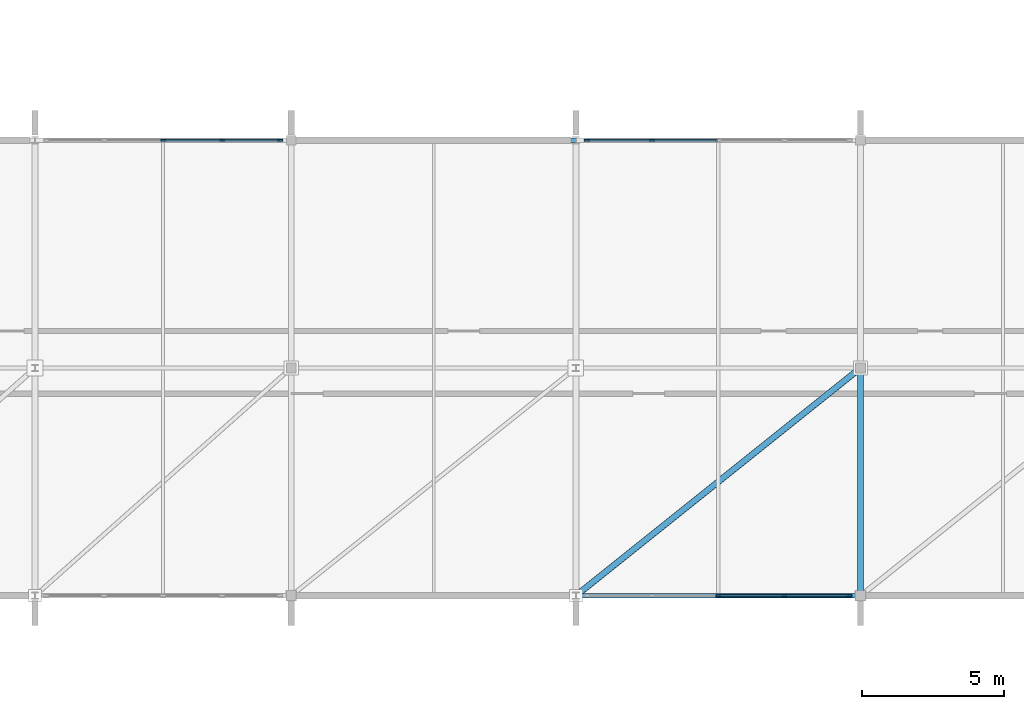
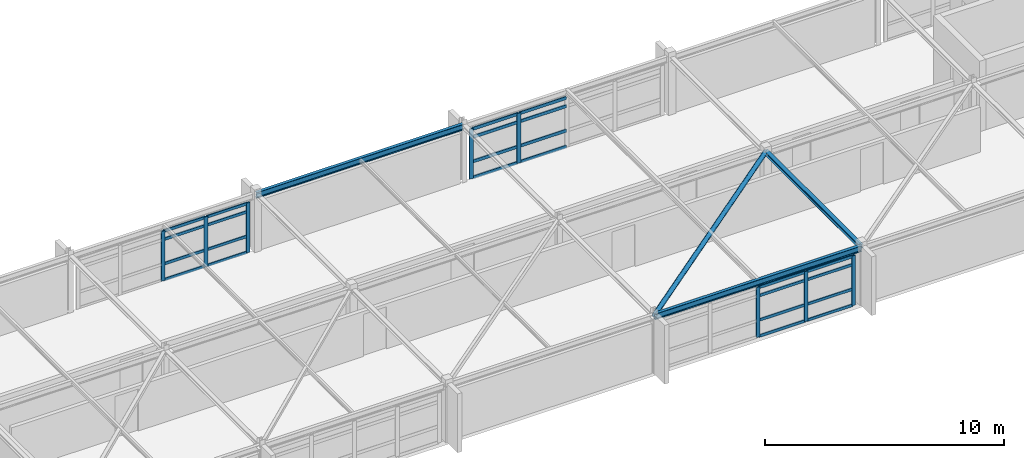
# One storey, part 11 of 83: 33 members, 3 beams, 3 elements without a shape of their own.
"""IFC4 building model written with IfcOpenShell, lengths in metres."""

import ifcopenshell
import ifcopenshell.guid

model = None  # the IFC model being written
_history = None  # IfcOwnerHistory: only IFC2X3 demands one
_inside = {}  # id of a spatial element -> (the spatial element, [elements in it])
_under = {}  # id of a project, library or spatial element -> (it, [spatial elements below it])
_declared = {}  # id of a project -> (the project, [libraries it declares])
_typed = {}  # id of a type object -> (the type object, [elements of that type])
_made_of = {}  # id of a material, layer set ... -> (it, [elements and type objects made of it])


def new_model(schema):
    """Start an empty IFC model of exactly this schema.

    Asked for "IFC4X3", IfcOpenShell would pick the latest addendum, in which some entities
    have other attributes; the version numbers below select the first issue.
    IFC2X3 requires an IfcOwnerHistory on every rooted entity: one is made here for all.
    """
    global model, _history
    if schema == "IFC4X3":
        model = ifcopenshell.file(schema_version=(4, 3, 0, 0))
    else:
        model = ifcopenshell.file(schema=schema)
    _inside.clear()
    _under.clear()
    _declared.clear()
    _typed.clear()
    _made_of.clear()
    _history = None
    if model.schema == "IFC2X3":
        org = make("IfcOrganization", Name="unknown")
        user = make(
            "IfcPersonAndOrganization",
            ThePerson=make("IfcPerson", FamilyName="unknown"),
            TheOrganization=org,
        )
        app = make(
            "IfcApplication",
            ApplicationDeveloper=org,
            Version="unknown",
            ApplicationFullName="unknown",
            ApplicationIdentifier="unknown",
        )
        _history = make(
            "IfcOwnerHistory",
            OwningUser=user,
            OwningApplication=app,
            ChangeAction="ADDED",
            CreationDate=0,
        )
    return model


def make(cls, **values):
    """One entity of the class cls with the attributes given. An attribute that is None is left unset."""
    return model.create_entity(
        cls, **{name: value for name, value in values.items() if value is not None}
    )


def rooted(cls, **values):
    """An entity with a GlobalId (a new one), such as an element, a storey or a relation."""
    return make(cls, GlobalId=ifcopenshell.guid.new(), OwnerHistory=_history, **values)


def si_unit(unit_type, name, prefix=None):
    """IfcSIUnit, for example si_unit("LENGTHUNIT", "METRE", prefix="MILLI")."""
    return make("IfcSIUnit", UnitType=unit_type, Prefix=prefix, Name=name)


def assignment(units):
    """IfcUnitAssignment: the units of a project."""
    return None if units is None else make("IfcUnitAssignment", Units=units)


def point(xyz):
    """IfcCartesianPoint."""
    return None if xyz is None else make("IfcCartesianPoint", Coordinates=xyz)


def direction(xyz):
    """IfcDirection."""
    return None if xyz is None else make("IfcDirection", DirectionRatios=xyz)


def frame(location, z_axis=None, x_axis=None):
    """IfcAxis2Placement3D, a coordinate frame: its origin and axes. An axis left out is left unset."""
    return make(
        "IfcAxis2Placement3D",
        Location=point(location),
        Axis=direction(z_axis),
        RefDirection=direction(x_axis),
    )


def frame_2d(location, x_axis=None):
    """IfcAxis2Placement2D, a coordinate frame in the plane: its origin and x axis."""
    return make(
        "IfcAxis2Placement2D", Location=point(location), RefDirection=direction(x_axis)
    )


def origin():
    """The frame at (0, 0, 0) with its axes left unset."""
    return frame((0.0, 0.0, 0.0))


def origin_2d():
    """The frame at (0, 0) in the plane with its x axis left unset."""
    return frame_2d((0.0, 0.0))


def place(relative_to, where):
    """IfcLocalPlacement: puts the frame where relative to a parent placement (None: the world)."""
    return make(
        "IfcLocalPlacement", PlacementRelTo=relative_to, RelativePlacement=where
    )


def context(
    kind, dimensions, precision=None, world=None, true_north=None, identifier=None
):
    """IfcGeometricRepresentationContext, for example the 3D "Model" context."""
    return make(
        "IfcGeometricRepresentationContext",
        ContextIdentifier=identifier,
        ContextType=kind,
        CoordinateSpaceDimension=dimensions,
        Precision=precision,
        WorldCoordinateSystem=world,
        TrueNorth=true_north,
    )


def subcontext(parent, identifier, kind, view, scale=None):
    """IfcGeometricRepresentationSubContext, for example "Body" below "Model"."""
    return make(
        "IfcGeometricRepresentationSubContext",
        ContextIdentifier=identifier,
        ContextType=kind,
        ParentContext=parent,
        TargetScale=scale,
        TargetView=view,
    )


def project(units=None, contexts=None):
    """IfcProject with its units and contexts."""
    return rooted(
        "IfcProject",
        Name="project",
        RepresentationContexts=contexts,
        UnitsInContext=assignment(units),
    )


def spatial(cls, under=None, at=None, **own):
    """A site, building, storey or space (cls), placed at a placement, below another one or the project."""
    s = rooted(cls, ObjectPlacement=at, **own)
    if under is not None:
        _under.setdefault(under.id(), (under, []))[1].append(s)
    return s


def profile(cls, at=None, kind="AREA", **sizes):
    """A parametric profile (cls). Its sizes go by their IFC names, for example OverallWidth=200.0."""
    return make(cls, ProfileType=kind, Position=at, **sizes)


def rectangle(**sizes):
    """IfcRectangleProfileDef."""
    return profile("IfcRectangleProfileDef", **sizes)


def hollow_circle(**sizes):
    """IfcCircleHollowProfileDef."""
    return profile("IfcCircleHollowProfileDef", **sizes)


def i_section(**sizes):
    """IfcIShapeProfileDef."""
    return profile("IfcIShapeProfileDef", **sizes)


def extrude(swept, where, along, depth):
    """IfcExtrudedAreaSolid: the profile swept, set in the frame where, extruded along a direction by depth."""
    return make(
        "IfcExtrudedAreaSolid",
        SweptArea=swept,
        Position=where,
        ExtrudedDirection=direction(along),
        Depth=depth,
    )


def shape(context_of_items, identifier, shape_type, items):
    """IfcShapeRepresentation: the items that make up one representation, for example the "Body"."""
    return make(
        "IfcShapeRepresentation",
        ContextOfItems=context_of_items,
        RepresentationIdentifier=identifier,
        RepresentationType=shape_type,
        Items=items,
    )


def material(Name=None, Category=None):
    """IfcMaterial."""
    return make("IfcMaterial", Name=Name, Category=Category)


def material_profile(
    of_material, cross_section, Name=None, Category=None, Priority=None
):
    """IfcMaterialProfile: a cross section and its material."""
    return make(
        "IfcMaterialProfile",
        Name=Name,
        Material=of_material,
        Profile=cross_section,
        Priority=Priority,
        Category=Category,
    )


def profile_set(profiles, Name=None, composite=None):
    """IfcMaterialProfileSet."""
    return make(
        "IfcMaterialProfileSet",
        Name=Name,
        MaterialProfiles=profiles,
        CompositeProfile=composite,
    )


def made_of(thing, what):
    """Note that an element or type object is made of a material, layer set ...; save() writes the relation."""
    if what is not None:
        _made_of.setdefault(what.id(), (what, []))[1].append(thing)
    return thing


def type_object(cls, material=None, **own):
    """A type object (cls), such as IfcWallType, which elements share."""
    return made_of(rooted(cls, **own), material)


def element(
    cls,
    number,
    at=None,
    inside=None,
    cuts=None,
    type_object=None,
    material=None,
    context=None,
    identifier="Body",
    shape_type=None,
    held_by="IfcProductDefinitionShape",
    body=None,
    shapes=None,
    **own,
):
    """One element of the class cls, such as IfcWall. Its Tag is "e" and its number.

    at: its placement. inside: the storey or other place that contains it. cuts: it is an
    opening in that element (IfcRelVoidsElement). A single representation is given by context,
    identifier, shape_type and body (its items); several are given by shapes. held_by: the class
    of the entity that holds the representations. save() writes the other relations.
    """
    e = rooted(cls, Tag="e%d" % number, ObjectPlacement=at, **own)
    if body is not None:
        shapes = [shape(context, identifier, shape_type, body)]
    if shapes is not None:
        e.Representation = make(held_by, Representations=shapes)
    if inside is not None:
        _inside.setdefault(inside.id(), (inside, []))[1].append(e)
    if cuts is not None:
        rooted(
            "IfcRelVoidsElement", RelatingBuildingElement=cuts, RelatedOpeningElement=e
        )
    if type_object is not None:
        _typed.setdefault(type_object.id(), (type_object, []))[1].append(e)
    return made_of(e, material)


def aggregate(whole, parts):
    """IfcRelAggregates: a whole, such as a stair, and the parts it consists of."""
    return rooted("IfcRelAggregates", RelatingObject=whole, RelatedObjects=parts)


def save(model, path):
    """Write the relations noted so far, then the file.

    IfcRelAggregates (storeys below a building ...), IfcRelContainedInSpatialStructure (elements
    in a storey), IfcRelDefinesByType, IfcRelAssociatesMaterial and IfcRelDeclares: one each for
    every whole, place, type object, material and project.
    """
    for whole, parts in _under.values():
        aggregate(whole, parts)
    for where, things in _inside.values():
        rooted(
            "IfcRelContainedInSpatialStructure",
            RelatedElements=things,
            RelatingStructure=where,
        )
    for kind, things in _typed.values():
        rooted("IfcRelDefinesByType", RelatedObjects=things, RelatingType=kind)
    for what, things in _made_of.values():
        rooted("IfcRelAssociatesMaterial", RelatedObjects=things, RelatingMaterial=what)
    for by, libraries in _declared.values():
        rooted("IfcRelDeclares", RelatingContext=by, RelatedDefinitions=libraries)
    model.write(path)


model = new_model("IFC4")

# Units and contexts
model_context = context("Model", 3, precision=1e-05, world=origin(), true_north=direction((0.0, 1.0)))
body_context = subcontext(model_context, "Body", "Model", "MODEL_VIEW")
ifc_project = project(units=[si_unit("LENGTHUNIT", "METRE"), si_unit("AREAUNIT", "SQUARE_METRE"), si_unit("VOLUMEUNIT", "CUBIC_METRE"), si_unit("PLANEANGLEUNIT", "RADIAN"), si_unit("MASSUNIT", "GRAM", prefix="KILO")], contexts=[model_context])

# Site, building, storey
site_placement = place(None, origin())
site = spatial("IfcSite", under=ifc_project, at=site_placement, CompositionType="ELEMENT")
building_placement = place(site_placement, origin())
building = spatial("IfcBuilding", under=site, at=building_placement, Name="Zimvara Arc Housing Community", CompositionType="ELEMENT")
storey_placement = place(building_placement, frame((0.0, 0.0, 4.5)))
storey = spatial("IfcBuildingStorey", under=building, at=storey_placement, Name="L01", CompositionType="ELEMENT", Elevation=4.5)

# Beams
ifc_material_1 = material(Name="Steel S355", Category="steel")
ifc_material_profile_1 = material_profile(ifc_material_1, i_section(OverallWidth=0.199951171875, OverallDepth=0.18994140625, WebThickness=0.006591796875, FlangeThickness=0.010009765625, FilletRadius=0.01806640625, at=origin_2d()), Name="HEA 200")
ifc_profile_set_1 = profile_set([ifc_material_profile_1], Name="Steel S355")
beam_type_1 = type_object("IfcBeamType", Name="BM-ST-HEA200", PredefinedType="BEAM", material=ifc_profile_set_1)
beam_placement = place(storey_placement, frame((38.0, 3.60009765625, 2.85498046875), z_axis=(0.0, 1.0, 0.0), x_axis=(-1.0, 0.0, 0.0)))
element("IfcBeam", 1, at=beam_placement, inside=storey, type_object=beam_type_1, Name="bm:shops:L01:y:x4:b0", PredefinedType="BEAM", context=body_context, shape_type="SweptSolid", body=[
    extrude(i_section(OverallWidth=0.199951171875, OverallDepth=0.18994140625, WebThickness=0.006591796875, FlangeThickness=0.010009765625, FilletRadius=0.01806640625, at=origin_2d()), origin(), (0.0, 0.0, 1.0), 8.0),
])
ifc_material_2 = material(Name="Steel S355", Category="steel")
ifc_material_profile_2 = material_profile(ifc_material_2, i_section(OverallWidth=0.14990234375, OverallDepth=0.300048828125, WebThickness=0.007080078125, FlangeThickness=0.0107421875, FilletRadius=0.014892578125, at=origin_2d()), Name="IPE 300")
ifc_profile_set_2 = profile_set([ifc_material_profile_2], Name="Steel S355")
beam_type_2 = type_object("IfcBeamType", Name="BM-ST-IPE300", PredefinedType="BEAM", material=ifc_profile_set_2)
for number, where, z_axis, x_axis, name in (
    (2, (28.0, 3.60009765625, 2.800048828125), (1.0, 0.0, 0.0), (0.0, 1.0, 0.0), "bm:shops:L01:x:y0:b3"),
    (3, (18.0, 19.60009765625, 2.800048828125), (1.0, 0.0, 0.0), (0.0, 1.0, 0.0), "bm:shops:L01:x:y2:b2"),
):
    element("IfcBeam", number, at=place(storey_placement, frame(where, z_axis=z_axis, x_axis=x_axis)), inside=storey, type_object=beam_type_2, Name=name, PredefinedType="BEAM", context=body_context, shape_type="SweptSolid", body=[
        extrude(i_section(OverallWidth=0.14990234375, OverallDepth=0.300048828125, WebThickness=0.007080078125, FlangeThickness=0.0107421875, FilletRadius=0.014892578125, at=origin_2d()), origin(), (0.0, 0.0, 1.0), 10.0),
    ])

# Curtain wall, members
ifc_material_3 = material(Name="Anodised Aluminium AW-6063", Category="aluminium")
curtain_wall_type_1 = type_object("IfcCurtainWallType", Name="CW-SYS-08", PredefinedType="USERDEFINED", material=ifc_material_3)
curtain_wall_1_placement = place(storey_placement, origin())
curtain_wall_1 = element("IfcCurtainWall", 4, at=curtain_wall_1_placement, inside=storey, type_object=curtain_wall_type_1, Name="cw:shops:L01:south:b3", ObjectType="CURTAIN WALL", PredefinedType="USERDEFINED")
ifc_material_4 = material(Name="Anodised Aluminium AW-6063", Category="aluminium")
ifc_material_profile_3 = material_profile(ifc_material_4, rectangle(XDim=0.06494140625, YDim=0.179931640625, at=origin_2d()), Name="ALU 65x180")
ifc_profile_set_3 = profile_set([ifc_material_profile_3], Name="Anodised Aluminium AW-6063")
member_type_1 = type_object("IfcMemberType", Name="CWM-65x150", PredefinedType="MULLION", material=ifc_profile_set_3)
member_1_placement = place(storey_placement, frame((33.0, 3.60009765625, 0.0), z_axis=(0.0, 0.0, 1.0), x_axis=(0.0, 1.0, 0.0)))
member_1 = element("IfcMember", 5, at=member_1_placement, type_object=member_type_1, Name="CW08 mullion 3", PredefinedType="MULLION", context=body_context, shape_type="SweptSolid", body=[
    extrude(rectangle(XDim=0.06494140625, YDim=0.179931640625, at=origin_2d()), origin(), (0.0, 0.0, 1.0), 2.550048828125),
])
member_2_placement = place(storey_placement, frame((35.320068359375, 3.60009765625, 0.0), z_axis=(0.0, 0.0, 1.0), x_axis=(0.0, 1.0, 0.0)))
member_2 = element("IfcMember", 6, at=member_2_placement, type_object=member_type_1, Name="CW08 mullion 4", PredefinedType="MULLION", context=body_context, shape_type="SweptSolid", body=[
    extrude(rectangle(XDim=0.06494140625, YDim=0.179931640625, at=origin_2d()), origin(), (0.0, 0.0, 1.0), 2.550048828125),
])
member_3_placement = place(storey_placement, frame((37.607421875, 3.60009765625, 0.0), z_axis=(0.0, 0.0, 1.0), x_axis=(0.0, 1.0, 0.0)))
member_3 = element("IfcMember", 7, at=member_3_placement, type_object=member_type_1, Name="CW08 mullion 5", PredefinedType="MULLION", context=body_context, shape_type="SweptSolid", body=[
    extrude(rectangle(XDim=0.06494140625, YDim=0.179931640625, at=origin_2d()), origin(), (0.0, 0.0, 1.0), 2.550048828125),
])

ifc_material_5 = material(Name="Anodised Aluminium AW-6063", Category="aluminium")
curtain_wall_type_2 = type_object("IfcCurtainWallType", Name="CW-SYS-02", PredefinedType="USERDEFINED", material=ifc_material_5)
curtain_wall_2_placement = place(storey_placement, origin())
curtain_wall_2 = element("IfcCurtainWall", 8, at=curtain_wall_2_placement, inside=storey, type_object=curtain_wall_type_2, Name="cw:shops:L01:north:b1", ObjectType="CURTAIN WALL", PredefinedType="USERDEFINED")
member_4_placement = place(storey_placement, frame((13.5, 19.60009765625, 0.0), z_axis=(0.0, 0.0, 1.0), x_axis=(0.0, 1.0, 0.0)))
member_4 = element("IfcMember", 9, at=member_4_placement, type_object=member_type_1, Name="CW02 mullion 3", PredefinedType="MULLION", context=body_context, shape_type="SweptSolid", body=[
    extrude(rectangle(XDim=0.06494140625, YDim=0.179931640625, at=origin_2d()), origin(), (0.0, 0.0, 1.0), 2.550048828125),
])
member_5_placement = place(storey_placement, frame((15.570068359375, 19.60009765625, 0.0), z_axis=(0.0, 0.0, 1.0), x_axis=(0.0, 1.0, 0.0)))
member_5 = element("IfcMember", 10, at=member_5_placement, type_object=member_type_1, Name="CW02 mullion 4", PredefinedType="MULLION", context=body_context, shape_type="SweptSolid", body=[
    extrude(rectangle(XDim=0.06494140625, YDim=0.179931640625, at=origin_2d()), origin(), (0.0, 0.0, 1.0), 2.550048828125),
])
member_6_placement = place(storey_placement, frame((17.607421875, 19.60009765625, 0.0), z_axis=(0.0, 0.0, 1.0), x_axis=(0.0, 1.0, 0.0)))
member_6 = element("IfcMember", 11, at=member_6_placement, type_object=member_type_1, Name="CW02 mullion 5", PredefinedType="MULLION", context=body_context, shape_type="SweptSolid", body=[
    extrude(rectangle(XDim=0.06494140625, YDim=0.179931640625, at=origin_2d()), origin(), (0.0, 0.0, 1.0), 2.550048828125),
])

ifc_material_6 = material(Name="Anodised Aluminium AW-6063", Category="aluminium")
curtain_wall_type_3 = type_object("IfcCurtainWallType", Name="CW-SYS-03", PredefinedType="USERDEFINED", material=ifc_material_6)
curtain_wall_3_placement = place(storey_placement, origin())
curtain_wall_3 = element("IfcCurtainWall", 12, at=curtain_wall_3_placement, inside=storey, type_object=curtain_wall_type_3, Name="cw:shops:L01:north:b3", ObjectType="CURTAIN WALL", PredefinedType="USERDEFINED")
ifc_material_7 = material(Name="Anodised Aluminium AW-6063", Category="aluminium")
ifc_material_profile_4 = material_profile(ifc_material_7, rectangle(XDim=0.06494140625, YDim=0.195068359375, at=origin_2d()), Name="ALU 65x195")
ifc_profile_set_4 = profile_set([ifc_material_profile_4], Name="Anodised Aluminium AW-6063")
member_type_2 = type_object("IfcMemberType", Name="CWM-65x180", PredefinedType="MULLION", material=ifc_profile_set_4)
member_7_placement = place(storey_placement, frame((28.392578125, 19.60009765625, 0.0), z_axis=(0.0, 0.0, 1.0), x_axis=(0.0, 1.0, 0.0)))
member_7 = element("IfcMember", 13, at=member_7_placement, type_object=member_type_2, Name="CW03 mullion 1", PredefinedType="MULLION", context=body_context, shape_type="SweptSolid", body=[
    extrude(rectangle(XDim=0.06494140625, YDim=0.195068359375, at=origin_2d()), origin(), (0.0, 0.0, 1.0), 2.550048828125),
])
member_8_placement = place(storey_placement, frame((30.679931640625, 19.60009765625, 0.0), z_axis=(0.0, 0.0, 1.0), x_axis=(0.0, 1.0, 0.0)))
member_8 = element("IfcMember", 14, at=member_8_placement, type_object=member_type_2, Name="CW03 mullion 2", PredefinedType="MULLION", context=body_context, shape_type="SweptSolid", body=[
    extrude(rectangle(XDim=0.06494140625, YDim=0.195068359375, at=origin_2d()), origin(), (0.0, 0.0, 1.0), 2.550048828125),
])

# Member
ifc_material_8 = material(Name="Anodised Aluminium AW-6063", Category="aluminium")
ifc_material_profile_5 = material_profile(ifc_material_8, rectangle(XDim=0.06494140625, YDim=0.139892578125, at=origin_2d()), Name="ALU 65x140")
ifc_profile_set_5 = profile_set([ifc_material_profile_5], Name="Anodised Aluminium AW-6063")
member_type_3 = type_object("IfcMemberType", Name="CWT-65x120", PredefinedType="USERDEFINED", material=ifc_profile_set_5)
member_9_placement = place(storey_placement, frame((33.032470703125, 3.60009765625, 0.032470703125), z_axis=(1.0, 0.0, 0.0), x_axis=(0.0, 1.0, 0.0)))
member_9 = element("IfcMember", 15, at=member_9_placement, type_object=member_type_3, Name="CW08 transom 3.1", ObjectType="TRANSOM", PredefinedType="USERDEFINED", context=body_context, shape_type="SweptSolid", body=[
    extrude(rectangle(XDim=0.06494140625, YDim=0.139892578125, at=origin_2d()), origin(), (0.0, 0.0, 1.0), 2.255126953125),
])

member_10_placement = place(storey_placement, frame((33.032470703125, 3.60009765625, 0.85009765625), z_axis=(1.0, 0.0, 0.0), x_axis=(0.0, 1.0, 0.0)))
member_10 = element("IfcMember", 16, at=member_10_placement, type_object=member_type_3, Name="CW08 transom 3.2", ObjectType="TRANSOM", PredefinedType="USERDEFINED", context=body_context, shape_type="SweptSolid", body=[
    extrude(rectangle(XDim=0.06494140625, YDim=0.139892578125, at=origin_2d()), origin(), (0.0, 0.0, 1.0), 2.255126953125),
])

member_11_placement = place(storey_placement, frame((33.032470703125, 3.60009765625, 2.10009765625), z_axis=(1.0, 0.0, 0.0), x_axis=(0.0, 1.0, 0.0)))
member_11 = element("IfcMember", 17, at=member_11_placement, type_object=member_type_3, Name="CW08 transom 3.3", ObjectType="TRANSOM", PredefinedType="USERDEFINED", context=body_context, shape_type="SweptSolid", body=[
    extrude(rectangle(XDim=0.06494140625, YDim=0.139892578125, at=origin_2d()), origin(), (0.0, 0.0, 1.0), 2.255126953125),
])

member_12_placement = place(storey_placement, frame((33.032470703125, 3.60009765625, 2.517578125), z_axis=(1.0, 0.0, 0.0), x_axis=(0.0, 1.0, 0.0)))
member_12 = element("IfcMember", 18, at=member_12_placement, type_object=member_type_3, Name="CW08 transom 3.4", ObjectType="TRANSOM", PredefinedType="USERDEFINED", context=body_context, shape_type="SweptSolid", body=[
    extrude(rectangle(XDim=0.06494140625, YDim=0.139892578125, at=origin_2d()), origin(), (0.0, 0.0, 1.0), 2.255126953125),
])

member_13_placement = place(storey_placement, frame((35.3525390625, 3.60009765625, 0.032470703125), z_axis=(1.0, 0.0, 0.0), x_axis=(0.0, 1.0, 0.0)))
member_13 = element("IfcMember", 19, at=member_13_placement, type_object=member_type_3, Name="CW08 transom 4.1", ObjectType="TRANSOM", PredefinedType="USERDEFINED", context=body_context, shape_type="SweptSolid", body=[
    extrude(rectangle(XDim=0.06494140625, YDim=0.139892578125, at=origin_2d()), origin(), (0.0, 0.0, 1.0), 2.222412109375),
])

member_14_placement = place(storey_placement, frame((35.3525390625, 3.60009765625, 0.85009765625), z_axis=(1.0, 0.0, 0.0), x_axis=(0.0, 1.0, 0.0)))
member_14 = element("IfcMember", 20, at=member_14_placement, type_object=member_type_3, Name="CW08 transom 4.2", ObjectType="TRANSOM", PredefinedType="USERDEFINED", context=body_context, shape_type="SweptSolid", body=[
    extrude(rectangle(XDim=0.06494140625, YDim=0.139892578125, at=origin_2d()), origin(), (0.0, 0.0, 1.0), 2.222412109375),
])

member_15_placement = place(storey_placement, frame((35.3525390625, 3.60009765625, 2.10009765625), z_axis=(1.0, 0.0, 0.0), x_axis=(0.0, 1.0, 0.0)))
member_15 = element("IfcMember", 21, at=member_15_placement, type_object=member_type_3, Name="CW08 transom 4.3", ObjectType="TRANSOM", PredefinedType="USERDEFINED", context=body_context, shape_type="SweptSolid", body=[
    extrude(rectangle(XDim=0.06494140625, YDim=0.139892578125, at=origin_2d()), origin(), (0.0, 0.0, 1.0), 2.222412109375),
])

member_16_placement = place(storey_placement, frame((35.3525390625, 3.60009765625, 2.517578125), z_axis=(1.0, 0.0, 0.0), x_axis=(0.0, 1.0, 0.0)))
member_16 = element("IfcMember", 22, at=member_16_placement, type_object=member_type_3, Name="CW08 transom 4.4", ObjectType="TRANSOM", PredefinedType="USERDEFINED", context=body_context, shape_type="SweptSolid", body=[
    extrude(rectangle(XDim=0.06494140625, YDim=0.139892578125, at=origin_2d()), origin(), (0.0, 0.0, 1.0), 2.222412109375),
])

aggregate(curtain_wall_1, [member_1, member_2, member_3, member_9, member_10, member_11, member_12, member_13, member_14, member_15, member_16])

member_17_placement = place(storey_placement, frame((13.532470703125, 19.60009765625, 0.032470703125), z_axis=(1.0, 0.0, 0.0), x_axis=(0.0, 1.0, 0.0)))
member_17 = element("IfcMember", 23, at=member_17_placement, type_object=member_type_3, Name="CW02 transom 3.1", ObjectType="TRANSOM", PredefinedType="USERDEFINED", context=body_context, shape_type="SweptSolid", body=[
    extrude(rectangle(XDim=0.06494140625, YDim=0.139892578125, at=origin_2d()), origin(), (0.0, 0.0, 1.0), 2.005126953125),
])

member_18_placement = place(storey_placement, frame((13.532470703125, 19.60009765625, 0.85009765625), z_axis=(1.0, 0.0, 0.0), x_axis=(0.0, 1.0, 0.0)))
member_18 = element("IfcMember", 24, at=member_18_placement, type_object=member_type_3, Name="CW02 transom 3.2", ObjectType="TRANSOM", PredefinedType="USERDEFINED", context=body_context, shape_type="SweptSolid", body=[
    extrude(rectangle(XDim=0.06494140625, YDim=0.139892578125, at=origin_2d()), origin(), (0.0, 0.0, 1.0), 2.005126953125),
])

member_19_placement = place(storey_placement, frame((13.532470703125, 19.60009765625, 2.10009765625), z_axis=(1.0, 0.0, 0.0), x_axis=(0.0, 1.0, 0.0)))
member_19 = element("IfcMember", 25, at=member_19_placement, type_object=member_type_3, Name="CW02 transom 3.3", ObjectType="TRANSOM", PredefinedType="USERDEFINED", context=body_context, shape_type="SweptSolid", body=[
    extrude(rectangle(XDim=0.06494140625, YDim=0.139892578125, at=origin_2d()), origin(), (0.0, 0.0, 1.0), 2.005126953125),
])

member_20_placement = place(storey_placement, frame((13.532470703125, 19.60009765625, 2.517578125), z_axis=(1.0, 0.0, 0.0), x_axis=(0.0, 1.0, 0.0)))
member_20 = element("IfcMember", 26, at=member_20_placement, type_object=member_type_3, Name="CW02 transom 3.4", ObjectType="TRANSOM", PredefinedType="USERDEFINED", context=body_context, shape_type="SweptSolid", body=[
    extrude(rectangle(XDim=0.06494140625, YDim=0.139892578125, at=origin_2d()), origin(), (0.0, 0.0, 1.0), 2.005126953125),
])

member_21_placement = place(storey_placement, frame((15.6025390625, 19.60009765625, 0.032470703125), z_axis=(1.0, 0.0, 0.0), x_axis=(0.0, 1.0, 0.0)))
member_21 = element("IfcMember", 27, at=member_21_placement, type_object=member_type_3, Name="CW02 transom 4.1", ObjectType="TRANSOM", PredefinedType="USERDEFINED", context=body_context, shape_type="SweptSolid", body=[
    extrude(rectangle(XDim=0.06494140625, YDim=0.139892578125, at=origin_2d()), origin(), (0.0, 0.0, 1.0), 1.972412109375),
])

member_22_placement = place(storey_placement, frame((15.6025390625, 19.60009765625, 0.85009765625), z_axis=(1.0, 0.0, 0.0), x_axis=(0.0, 1.0, 0.0)))
member_22 = element("IfcMember", 28, at=member_22_placement, type_object=member_type_3, Name="CW02 transom 4.2", ObjectType="TRANSOM", PredefinedType="USERDEFINED", context=body_context, shape_type="SweptSolid", body=[
    extrude(rectangle(XDim=0.06494140625, YDim=0.139892578125, at=origin_2d()), origin(), (0.0, 0.0, 1.0), 1.972412109375),
])

member_23_placement = place(storey_placement, frame((15.6025390625, 19.60009765625, 2.10009765625), z_axis=(1.0, 0.0, 0.0), x_axis=(0.0, 1.0, 0.0)))
member_23 = element("IfcMember", 29, at=member_23_placement, type_object=member_type_3, Name="CW02 transom 4.3", ObjectType="TRANSOM", PredefinedType="USERDEFINED", context=body_context, shape_type="SweptSolid", body=[
    extrude(rectangle(XDim=0.06494140625, YDim=0.139892578125, at=origin_2d()), origin(), (0.0, 0.0, 1.0), 1.972412109375),
])

member_24_placement = place(storey_placement, frame((15.6025390625, 19.60009765625, 2.517578125), z_axis=(1.0, 0.0, 0.0), x_axis=(0.0, 1.0, 0.0)))
member_24 = element("IfcMember", 30, at=member_24_placement, type_object=member_type_3, Name="CW02 transom 4.4", ObjectType="TRANSOM", PredefinedType="USERDEFINED", context=body_context, shape_type="SweptSolid", body=[
    extrude(rectangle(XDim=0.06494140625, YDim=0.139892578125, at=origin_2d()), origin(), (0.0, 0.0, 1.0), 1.972412109375),
])

aggregate(curtain_wall_2, [member_4, member_5, member_6, member_17, member_18, member_19, member_20, member_21, member_22, member_23, member_24])

ifc_material_9 = material(Name="Anodised Aluminium AW-6063", Category="aluminium")
ifc_material_profile_6 = material_profile(ifc_material_9, rectangle(XDim=0.06494140625, YDim=0.155029296875, at=origin_2d()), Name="ALU 65x155")
ifc_profile_set_6 = profile_set([ifc_material_profile_6], Name="Anodised Aluminium AW-6063")
member_type_4 = type_object("IfcMemberType", Name="CWT-65x140", PredefinedType="USERDEFINED", material=ifc_profile_set_6)
member_25_placement = place(storey_placement, frame((28.425048828125, 19.60009765625, 0.032470703125), z_axis=(1.0, 0.0, 0.0), x_axis=(0.0, 1.0, 0.0)))
member_25 = element("IfcMember", 31, at=member_25_placement, type_object=member_type_4, Name="CW03 transom 1.1", ObjectType="TRANSOM", PredefinedType="USERDEFINED", context=body_context, shape_type="SweptSolid", body=[
    extrude(rectangle(XDim=0.06494140625, YDim=0.155029296875, at=origin_2d()), origin(), (0.0, 0.0, 1.0), 2.222412109375),
])

member_26_placement = place(storey_placement, frame((28.425048828125, 19.60009765625, 0.85009765625), z_axis=(1.0, 0.0, 0.0), x_axis=(0.0, 1.0, 0.0)))
member_26 = element("IfcMember", 32, at=member_26_placement, type_object=member_type_4, Name="CW03 transom 1.2", ObjectType="TRANSOM", PredefinedType="USERDEFINED", context=body_context, shape_type="SweptSolid", body=[
    extrude(rectangle(XDim=0.06494140625, YDim=0.155029296875, at=origin_2d()), origin(), (0.0, 0.0, 1.0), 2.222412109375),
])

member_27_placement = place(storey_placement, frame((28.425048828125, 19.60009765625, 2.10009765625), z_axis=(1.0, 0.0, 0.0), x_axis=(0.0, 1.0, 0.0)))
member_27 = element("IfcMember", 33, at=member_27_placement, type_object=member_type_4, Name="CW03 transom 1.3", ObjectType="TRANSOM", PredefinedType="USERDEFINED", context=body_context, shape_type="SweptSolid", body=[
    extrude(rectangle(XDim=0.06494140625, YDim=0.155029296875, at=origin_2d()), origin(), (0.0, 0.0, 1.0), 2.222412109375),
])

member_28_placement = place(storey_placement, frame((28.425048828125, 19.60009765625, 2.517578125), z_axis=(1.0, 0.0, 0.0), x_axis=(0.0, 1.0, 0.0)))
member_28 = element("IfcMember", 34, at=member_28_placement, type_object=member_type_4, Name="CW03 transom 1.4", ObjectType="TRANSOM", PredefinedType="USERDEFINED", context=body_context, shape_type="SweptSolid", body=[
    extrude(rectangle(XDim=0.06494140625, YDim=0.155029296875, at=origin_2d()), origin(), (0.0, 0.0, 1.0), 2.222412109375),
])

member_29_placement = place(storey_placement, frame((30.71240234375, 19.60009765625, 0.032470703125), z_axis=(1.0, 0.0, 0.0), x_axis=(0.0, 1.0, 0.0)))
member_29 = element("IfcMember", 35, at=member_29_placement, type_object=member_type_4, Name="CW03 transom 2.1", ObjectType="TRANSOM", PredefinedType="USERDEFINED", context=body_context, shape_type="SweptSolid", body=[
    extrude(rectangle(XDim=0.06494140625, YDim=0.155029296875, at=origin_2d()), origin(), (0.0, 0.0, 1.0), 2.255126953125),
])

member_30_placement = place(storey_placement, frame((30.71240234375, 19.60009765625, 0.85009765625), z_axis=(1.0, 0.0, 0.0), x_axis=(0.0, 1.0, 0.0)))
member_30 = element("IfcMember", 36, at=member_30_placement, type_object=member_type_4, Name="CW03 transom 2.2", ObjectType="TRANSOM", PredefinedType="USERDEFINED", context=body_context, shape_type="SweptSolid", body=[
    extrude(rectangle(XDim=0.06494140625, YDim=0.155029296875, at=origin_2d()), origin(), (0.0, 0.0, 1.0), 2.255126953125),
])

member_31_placement = place(storey_placement, frame((30.71240234375, 19.60009765625, 2.10009765625), z_axis=(1.0, 0.0, 0.0), x_axis=(0.0, 1.0, 0.0)))
member_31 = element("IfcMember", 37, at=member_31_placement, type_object=member_type_4, Name="CW03 transom 2.3", ObjectType="TRANSOM", PredefinedType="USERDEFINED", context=body_context, shape_type="SweptSolid", body=[
    extrude(rectangle(XDim=0.06494140625, YDim=0.155029296875, at=origin_2d()), origin(), (0.0, 0.0, 1.0), 2.255126953125),
])

member_32_placement = place(storey_placement, frame((30.71240234375, 19.60009765625, 2.517578125), z_axis=(1.0, 0.0, 0.0), x_axis=(0.0, 1.0, 0.0)))
member_32 = element("IfcMember", 38, at=member_32_placement, type_object=member_type_4, Name="CW03 transom 2.4", ObjectType="TRANSOM", PredefinedType="USERDEFINED", context=body_context, shape_type="SweptSolid", body=[
    extrude(rectangle(XDim=0.06494140625, YDim=0.155029296875, at=origin_2d()), origin(), (0.0, 0.0, 1.0), 2.255126953125),
])

aggregate(curtain_wall_3, [member_7, member_8, member_25, member_26, member_27, member_28, member_29, member_30, member_31, member_32])

ifc_material_10 = material(Name="Steel S355", Category="steel")
ifc_material_profile_7 = material_profile(ifc_material_10, hollow_circle(Radius=0.109619140625, WallThickness=0.008056640625, at=origin_2d()), Name="CHS 219.1x8.0")
ifc_profile_set_7 = profile_set([ifc_material_profile_7], Name="Steel S355")
member_type_5 = type_object("IfcMemberType", Name="MB-STRUT-CHS219", PredefinedType="STRUT", material=ifc_profile_set_7)
member_33_placement = place(storey_placement, frame((28.0, 3.60009765625, 2.85009765625), z_axis=(0.780868809443, 0.624695047554, 0.0), x_axis=(-0.624695047554, 0.780868809443, 0.0)))
element("IfcMember", 39, at=member_33_placement, inside=storey, type_object=member_type_5, Name="mb:shops:L01:brace:b3", PredefinedType="STRUT", context=body_context, shape_type="SweptSolid", body=[
    extrude(hollow_circle(Radius=0.109619140625, WallThickness=0.008056640625, at=origin_2d()), origin(), (0.0, 0.0, 1.0), 12.80615234375),
])

save(model, "model.ifc")
